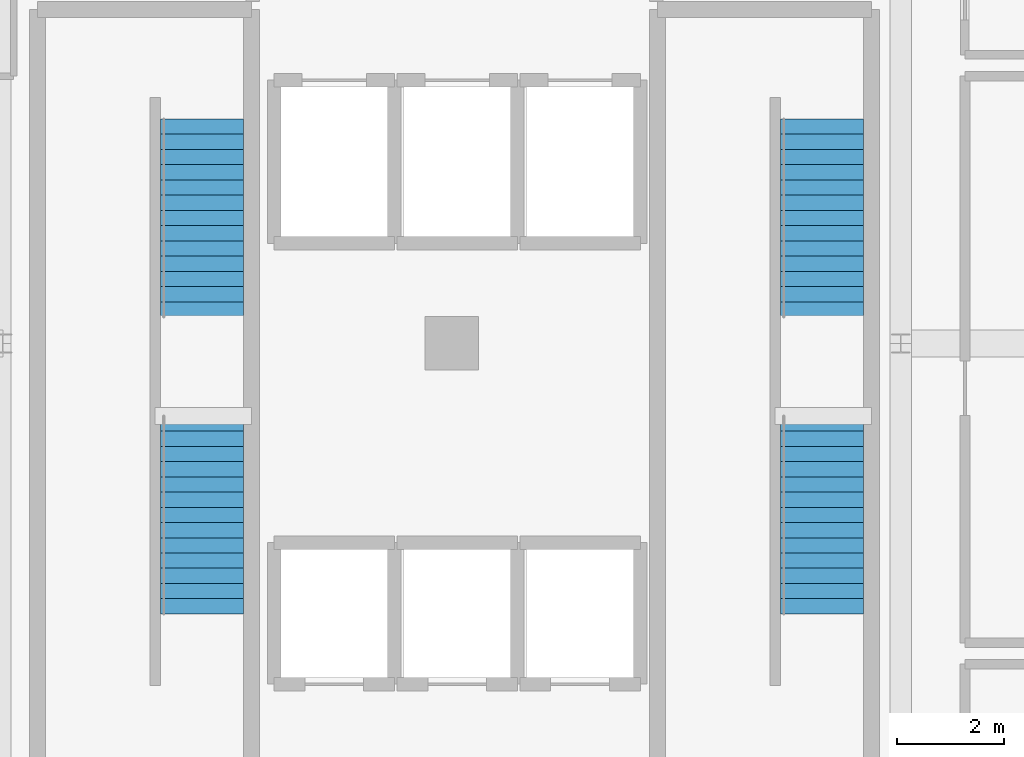
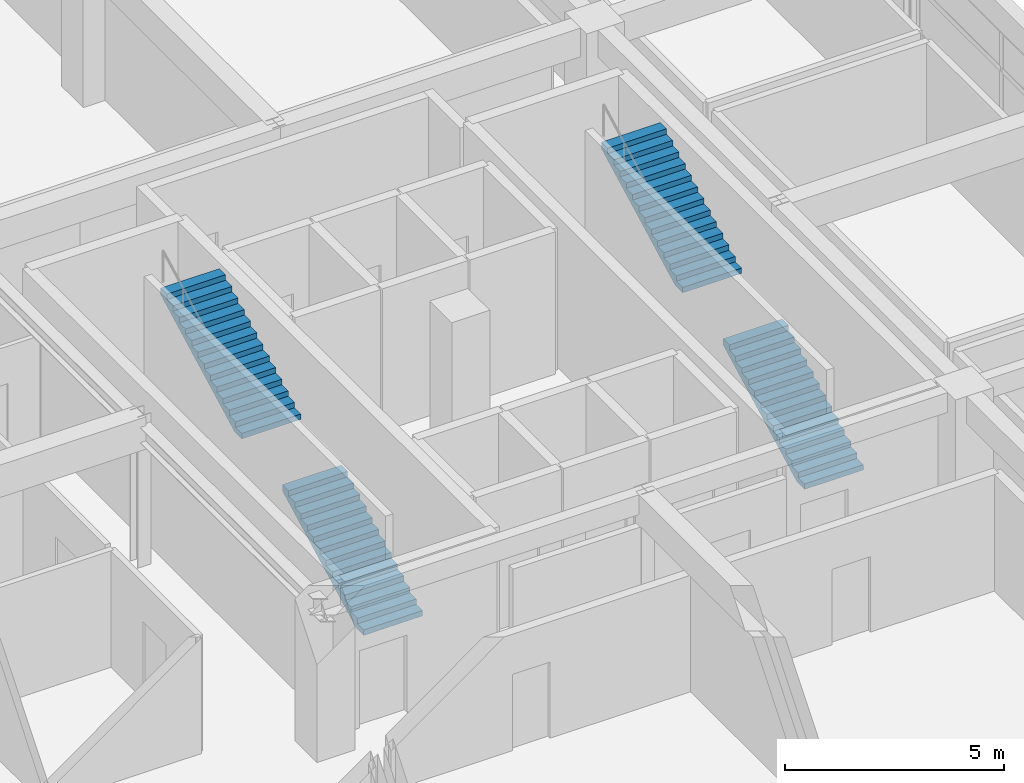
# One storey, part 14 of 15: 4 stair flights, 2 elements without a shape of their own.
"""IFC4 building model written with IfcOpenShell, lengths in metres."""

from ifc_helpers import new_model, si_unit, direction, frame, origin, place, context, subcontext, project, spatial, polyline, outline, extrude, material, layer, layer_set, type_object, element, aggregate, save


model = new_model("IFC4")

# Units and contexts
model_context = context("Model", 3, precision=1e-05, world=origin(), true_north=direction((0.0, 1.0)))
body_context = subcontext(model_context, "Body", "Model", "MODEL_VIEW")
ifc_project = project(units=[si_unit("LENGTHUNIT", "METRE"), si_unit("AREAUNIT", "SQUARE_METRE"), si_unit("VOLUMEUNIT", "CUBIC_METRE"), si_unit("PLANEANGLEUNIT", "RADIAN"), si_unit("MASSUNIT", "GRAM", prefix="KILO")], contexts=[model_context])

# Site, building, storey
site_placement = place(None, origin())
site = spatial("IfcSite", under=ifc_project, at=site_placement, CompositionType="ELEMENT")
building_placement = place(site_placement, origin())
building = spatial("IfcBuilding", under=site, at=building_placement, Name="Xuanlan Plaza Opera House", CompositionType="ELEMENT")
storey_placement = place(building_placement, frame((0.0, 0.0, 53.10009765625)))
storey = spatial("IfcBuildingStorey", under=building, at=storey_placement, Name="L12", CompositionType="ELEMENT", Elevation=53.10009765625)

# Stair, stair flights
ifc_material = material(Name="Concrete C40", Category="concrete")
stair_type = type_object("IfcStairType", Name="INT-ST-STR-T155", PredefinedType="STRAIGHT_RUN_STAIR", material=ifc_material)
stair_1_placement = place(storey_placement, origin())
stair_1 = element("IfcStair", 1, at=stair_1_placement, inside=storey, type_object=stair_type, Name="Protected Exit Stair ST-T1 L12", PredefinedType="STRAIGHT_RUN_STAIR")
ifc_layer = layer(ifc_material, 0.159912109375)
ifc_layer_set = layer_set([ifc_layer], Name="Concrete C40")
stair_flight_type = type_object("IfcStairFlightType", Name="INT-FL-FL-155", PredefinedType="STRAIGHT", material=ifc_layer_set)
stair_flight_1_placement = place(storey_placement, frame((138.125, 53.739990234375, 0.0), z_axis=(0.0, 0.0, 1.0), x_axis=(0.0, 1.0, 0.0)))
stair_flight_1 = element("IfcStairFlight", 2, at=stair_flight_1_placement, type_object=stair_flight_type, Name="ST-T1-L12 flight 1", NumberOfRisers=14, NumberOfTreads=13, PredefinedType="STRAIGHT", RiserHeight=0.15, TreadLength=0.285, context=body_context, shape_type="SweptSolid", body=[
    extrude(outline(polyline([(0.0, 0.0), (0.0, 0.14990234375), (0.284912109375, 0.14990234375), (0.284912109375, 0.300048828125), (0.570068359375, 0.300048828125), (0.570068359375, 0.449951171875), (0.85498046875, 0.449951171875), (0.85498046875, 0.60009765625), (1.139892578125, 0.60009765625), (1.139892578125, 0.75), (1.425048828125, 0.75), (1.425048828125, 0.89990234375), (1.7099609375, 0.89990234375), (1.7099609375, 1.050048828125), (1.9951171875, 1.050048828125), (1.9951171875, 1.199951171875), (2.280029296875, 1.199951171875), (2.280029296875, 1.35009765625), (2.56494140625, 1.35009765625), (2.56494140625, 1.5), (2.85009765625, 1.5), (2.85009765625, 1.64990234375), (3.135009765625, 1.64990234375), (3.135009765625, 1.800048828125), (3.419921875, 1.800048828125), (3.419921875, 1.949951171875), (3.705078125, 1.949951171875), (3.705078125, 2.10009765625), (3.705078125, 1.769287109375), (0.34326171875, 0.0), (0.0, 0.0)])), frame((0.0, 0.77490234375, 0.0), z_axis=(0.0, -1.0, 0.0), x_axis=(1.0, 0.0, 0.0)), (0.0, 0.0, 1.0), 1.550048828125),
])
stair_flight_2_placement = place(storey_placement, frame((138.125, 59.294921875, 2.099853515625), z_axis=(0.0, 0.0, 1.0), x_axis=(0.0, 1.0, 0.0)))
stair_flight_2 = element("IfcStairFlight", 3, at=stair_flight_2_placement, type_object=stair_flight_type, Name="ST-T1-L12 flight 2", NumberOfRisers=14, NumberOfTreads=13, PredefinedType="STRAIGHT", RiserHeight=0.15, TreadLength=0.285, context=body_context, shape_type="SweptSolid", body=[
    extrude(outline(polyline([(0.0, 0.0), (0.0, 0.14990234375), (0.284912109375, 0.14990234375), (0.284912109375, 0.300048828125), (0.570068359375, 0.300048828125), (0.570068359375, 0.449951171875), (0.85498046875, 0.449951171875), (0.85498046875, 0.60009765625), (1.139892578125, 0.60009765625), (1.139892578125, 0.75), (1.425048828125, 0.75), (1.425048828125, 0.89990234375), (1.7099609375, 0.89990234375), (1.7099609375, 1.050048828125), (1.9951171875, 1.050048828125), (1.9951171875, 1.199951171875), (2.280029296875, 1.199951171875), (2.280029296875, 1.35009765625), (2.56494140625, 1.35009765625), (2.56494140625, 1.5), (2.85009765625, 1.5), (2.85009765625, 1.64990234375), (3.135009765625, 1.64990234375), (3.135009765625, 1.800048828125), (3.419921875, 1.800048828125), (3.419921875, 1.949951171875), (3.705078125, 1.949951171875), (3.705078125, 2.10009765625), (3.705078125, 1.769287109375), (0.34326171875, 0.0), (0.0, 0.0)])), frame((0.0, 0.77490234375, 0.0), z_axis=(0.0, -1.0, 0.0), x_axis=(1.0, 0.0, 0.0)), (0.0, 0.0, 1.0), 1.550048828125),
])
aggregate(stair_1, [stair_flight_1, stair_flight_2])

stair_2_placement = place(storey_placement, origin())
stair_2 = element("IfcStair", 4, at=stair_2_placement, inside=storey, type_object=stair_type, Name="Protected Exit Stair ST-T2 L12", PredefinedType="STRAIGHT_RUN_STAIR")
stair_flight_3_placement = place(storey_placement, frame((149.72509765625, 53.739990234375, 0.0), z_axis=(0.0, 0.0, 1.0), x_axis=(0.0, 1.0, 0.0)))
stair_flight_3 = element("IfcStairFlight", 5, at=stair_flight_3_placement, type_object=stair_flight_type, Name="ST-T2-L12 flight 1", NumberOfRisers=14, NumberOfTreads=13, PredefinedType="STRAIGHT", RiserHeight=0.15, TreadLength=0.285, context=body_context, shape_type="SweptSolid", body=[
    extrude(outline(polyline([(0.0, 0.0), (0.0, 0.14990234375), (0.284912109375, 0.14990234375), (0.284912109375, 0.300048828125), (0.570068359375, 0.300048828125), (0.570068359375, 0.449951171875), (0.85498046875, 0.449951171875), (0.85498046875, 0.60009765625), (1.139892578125, 0.60009765625), (1.139892578125, 0.75), (1.425048828125, 0.75), (1.425048828125, 0.89990234375), (1.7099609375, 0.89990234375), (1.7099609375, 1.050048828125), (1.9951171875, 1.050048828125), (1.9951171875, 1.199951171875), (2.280029296875, 1.199951171875), (2.280029296875, 1.35009765625), (2.56494140625, 1.35009765625), (2.56494140625, 1.5), (2.85009765625, 1.5), (2.85009765625, 1.64990234375), (3.135009765625, 1.64990234375), (3.135009765625, 1.800048828125), (3.419921875, 1.800048828125), (3.419921875, 1.949951171875), (3.705078125, 1.949951171875), (3.705078125, 2.10009765625), (3.705078125, 1.769287109375), (0.34326171875, 0.0), (0.0, 0.0)])), frame((0.0, 0.77490234375, 0.0), z_axis=(0.0, -1.0, 0.0), x_axis=(1.0, 0.0, 0.0)), (0.0, 0.0, 1.0), 1.550048828125),
])
stair_flight_4_placement = place(storey_placement, frame((149.72509765625, 59.294921875, 2.099853515625), z_axis=(0.0, 0.0, 1.0), x_axis=(0.0, 1.0, 0.0)))
stair_flight_4 = element("IfcStairFlight", 6, at=stair_flight_4_placement, type_object=stair_flight_type, Name="ST-T2-L12 flight 2", NumberOfRisers=14, NumberOfTreads=13, PredefinedType="STRAIGHT", RiserHeight=0.15, TreadLength=0.285, context=body_context, shape_type="SweptSolid", body=[
    extrude(outline(polyline([(0.0, 0.0), (0.0, 0.14990234375), (0.284912109375, 0.14990234375), (0.284912109375, 0.300048828125), (0.570068359375, 0.300048828125), (0.570068359375, 0.449951171875), (0.85498046875, 0.449951171875), (0.85498046875, 0.60009765625), (1.139892578125, 0.60009765625), (1.139892578125, 0.75), (1.425048828125, 0.75), (1.425048828125, 0.89990234375), (1.7099609375, 0.89990234375), (1.7099609375, 1.050048828125), (1.9951171875, 1.050048828125), (1.9951171875, 1.199951171875), (2.280029296875, 1.199951171875), (2.280029296875, 1.35009765625), (2.56494140625, 1.35009765625), (2.56494140625, 1.5), (2.85009765625, 1.5), (2.85009765625, 1.64990234375), (3.135009765625, 1.64990234375), (3.135009765625, 1.800048828125), (3.419921875, 1.800048828125), (3.419921875, 1.949951171875), (3.705078125, 1.949951171875), (3.705078125, 2.10009765625), (3.705078125, 1.769287109375), (0.34326171875, 0.0), (0.0, 0.0)])), frame((0.0, 0.77490234375, 0.0), z_axis=(0.0, -1.0, 0.0), x_axis=(1.0, 0.0, 0.0)), (0.0, 0.0, 1.0), 1.550048828125),
])
aggregate(stair_2, [stair_flight_3, stair_flight_4])

save(model, "model.ifc")
